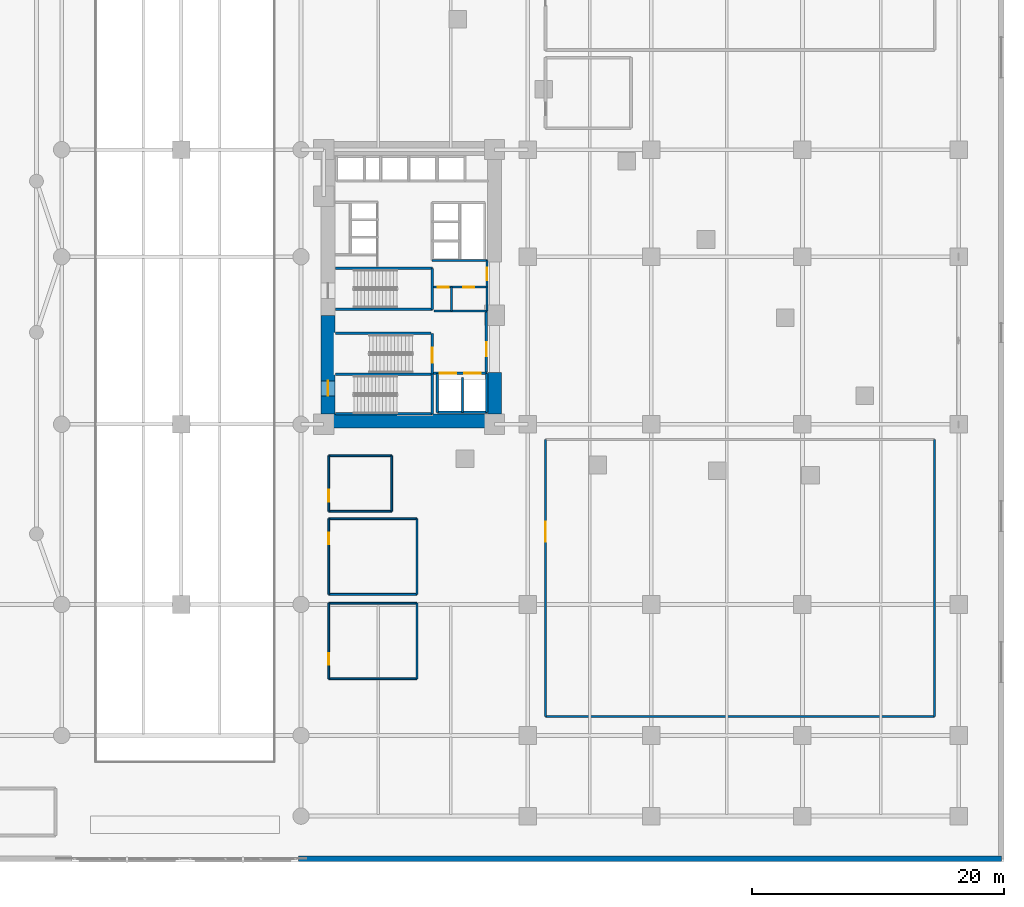
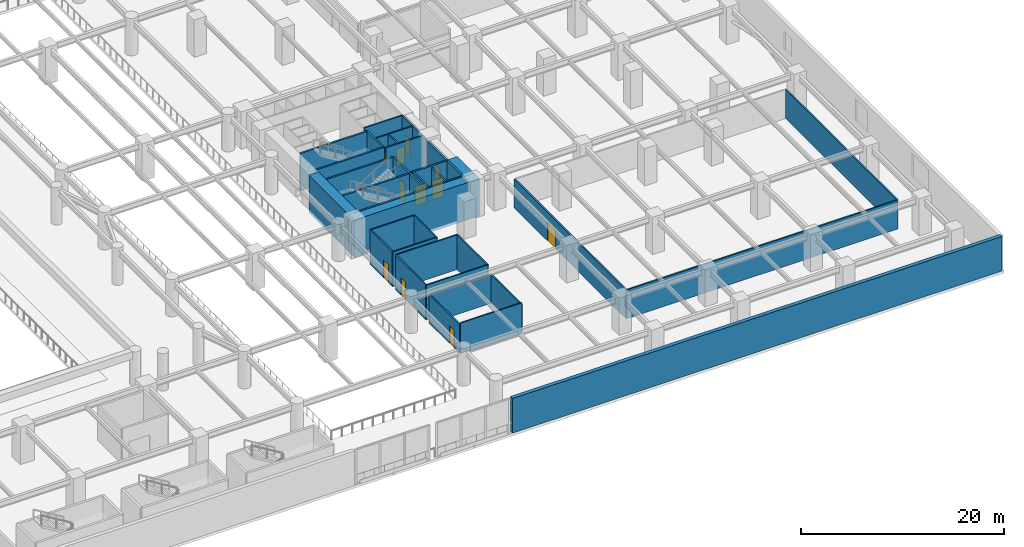
# One storey, part 13 of 32: 39 walls, 12 doors, 12 openings.
"""IFC4 building model written with IfcOpenShell, lengths in metres."""

from ifc_helpers import new_model, si_unit, direction, frame, frame_2d, origin, place, context, subcontext, project, spatial, rectangle, extrude, material, layer, layer_set, type_object, element, fill, save


model = new_model("IFC4")

# Units and contexts
model_context = context("Model", 3, precision=1e-05, world=origin(), true_north=direction((0.0, 1.0)))
body_context = subcontext(model_context, "Body", "Model", "MODEL_VIEW")
ifc_project = project(units=[si_unit("LENGTHUNIT", "METRE"), si_unit("AREAUNIT", "SQUARE_METRE"), si_unit("VOLUMEUNIT", "CUBIC_METRE"), si_unit("PLANEANGLEUNIT", "RADIAN"), si_unit("MASSUNIT", "GRAM", prefix="KILO")], contexts=[model_context])

# Site, building, storey
site_placement = place(None, origin())
site = spatial("IfcSite", under=ifc_project, at=site_placement, CompositionType="ELEMENT")
building_placement = place(site_placement, origin())
building = spatial("IfcBuilding", under=site, at=building_placement, Name="Narakoshi Arena Tower", CompositionType="ELEMENT")
storey_placement = place(building_placement, frame((0.0, 0.0, 4.5)))
storey = spatial("IfcBuildingStorey", under=building, at=storey_placement, Name="L01", CompositionType="ELEMENT", Elevation=4.5)

# Wall, opening, door
ifc_material_1 = material(Name="Concrete C60/75", Category="concrete")
ifc_layer_1 = layer(ifc_material_1, 1.10009765625)
ifc_layer_set_1 = layer_set([ifc_layer_1], Name="Concrete C60/75")
wall_type_1 = type_object("IfcWallType", Name="WL-CORE-1100", PredefinedType="SHEAR", material=ifc_layer_set_1)
wall_1_placement = place(storey_placement, frame((72.35009765625, 35.5, -0.320068359375), z_axis=(0.0, 0.0, 1.0), x_axis=(0.0, 1.0, 0.0)))
wall_1 = element("IfcWall", 1, at=wall_1_placement, inside=storey, type_object=wall_type_1, Name="L01 Central Core Shear Wall CW-APX-W", PredefinedType="SHEAR", context=body_context, shape_type="SweptSolid", body=[
    extrude(rectangle(XDim=7.85009765625, YDim=1.10009765625, at=frame_2d((3.925048828125, 0.0))), origin(), (0.0, 0.0, 1.0), 4.5),
])
opening_1_placement = place(wall_1_placement, frame((1.449951171875, 0.0, 0.320068359375)))
opening_1 = element("IfcOpeningElement", 2, at=opening_1_placement, cuts=wall_1, Name="Opening D-03", PredefinedType="OPENING", context=body_context, shape_type="SweptSolid", body=[
    extrude(rectangle(XDim=1.199951171875, YDim=2.199951171875, at=frame_2d((0.60009765625, 1.10009765625))), frame((0.0, 0.56005859375, 0.0), z_axis=(0.0, -1.0, 0.0), x_axis=(1.0, 0.0, 0.0)), (0.0, 0.0, 1.0), 1.1201171875),
])
ifc_material_2 = material(Name="Painted galvanized steel", Category="steel")
door_type_1 = type_object("IfcDoorType", Name="DR-STR-1200", OperationType="NOTDEFINED", PredefinedType="USERDEFINED", material=ifc_material_2)
door_1_placement = place(opening_1_placement, frame((1.199951171875, 0.0, 0.0), z_axis=(0.0, 0.0, 1.0), x_axis=(-1.0, 0.0, 0.0)))
door_1 = element("IfcDoor", 3, at=door_1_placement, inside=storey, type_object=door_type_1, Name="DR-L01-001", ObjectType="EXITDOOR", OperationType="SINGLE_SWING_LEFT", OverallHeight=2.199951171875, OverallWidth=1.199951171875, PredefinedType="USERDEFINED", context=body_context, shape_type="SweptSolid", body=[
    extrude(rectangle(XDim=1.199951171875, YDim=2.199951171875, at=frame_2d((0.60009765625, 1.10009765625))), frame((0.0, 0.02490234375, 0.0), z_axis=(0.0, -1.0, 0.0), x_axis=(1.0, 0.0, 0.0)), (0.0, 0.0, 1.0), 0.050048828125),
])
fill(opening_1, door_1)

# Walls
wall_2_placement = place(storey_placement, frame((71.800048828125, 34.949951171875, -0.320068359375), z_axis=(0.0, 0.0, 1.0), x_axis=(1.0, 0.0, 0.0)))
element("IfcWall", 4, at=wall_2_placement, inside=storey, type_object=wall_type_1, Name="L01 Central Core Shear Wall CW-APX-S", PredefinedType="SHEAR", context=body_context, shape_type="SweptSolid", body=[
    extrude(rectangle(XDim=14.300048828125, YDim=1.10009765625, at=frame_2d((7.14990234375, 0.0))), origin(), (0.0, 0.0, 1.0), 4.5),
])
wall_3_placement = place(storey_placement, frame((85.550048828125, 35.5, -0.320068359375), z_axis=(0.0, 0.0, 1.0), x_axis=(0.0, 1.0, 0.0)))
element("IfcWall", 5, at=wall_3_placement, inside=storey, type_object=wall_type_1, Name="L01 Central Core Shear Wall CW-APX-E", PredefinedType="SHEAR", context=body_context, shape_type="SweptSolid", body=[
    extrude(rectangle(XDim=3.300048828125, YDim=1.10009765625, at=frame_2d((1.64990234375, 0.0))), origin(), (0.0, 0.0, 1.0), 4.5),
])

# Wall, opening, door
ifc_material_3 = material(Name="Gypsum plasterboard fire-rated partition")
ifc_layer_2 = layer(ifc_material_3, 0.1650390625)
ifc_layer_set_2 = layer_set([ifc_layer_2], Name="Gypsum plasterboard fire-rated partition")
wall_type_2 = type_object("IfcWallType", Name="WL-CORR-165", PredefinedType="PARTITIONING", material=ifc_layer_set_2)
wall_4_placement = place(storey_placement, frame((84.949951171875, 45.580078125, 0.0), z_axis=(0.0, 0.0, 1.0), x_axis=(0.0, 1.0, 0.0)))
wall_4 = element("IfcWall", 6, at=wall_4_placement, inside=storey, type_object=wall_type_2, Name="L01 Core Wall CPAS-E", PredefinedType="PARTITIONING", context=body_context, shape_type="SweptSolid", body=[
    extrude(rectangle(XDim=2.119873046875, YDim=0.1650390625, at=frame_2d((1.06005859375, 0.0))), origin(), (0.0, 0.0, 1.0), 4.179931640625),
])
opening_2_placement = place(wall_4_placement, frame((0.56005859375, 0.0, 0.0)))
opening_2 = element("IfcOpeningElement", 7, at=opening_2_placement, cuts=wall_4, Name="Opening D-06", PredefinedType="OPENING", context=body_context, shape_type="SweptSolid", body=[
    extrude(rectangle(XDim=1.0, YDim=2.199951171875, at=frame_2d((0.5, 1.10009765625))), frame((0.0, 0.092529296875, 0.0), z_axis=(0.0, -1.0, 0.0), x_axis=(1.0, 0.0, 0.0)), (0.0, 0.0, 1.0), 0.18505859375),
])
ifc_material_4 = material(Name="Stained oak solid-core timber", Category="wood")
door_type_2 = type_object("IfcDoorType", Name="DR-OFF-1000", OperationType="NOTDEFINED", PredefinedType="DOOR", material=ifc_material_4)
door_2_placement = place(opening_2_placement, frame((1.0, 0.0, 0.0), z_axis=(0.0, 0.0, 1.0), x_axis=(-1.0, 0.0, 0.0)))
door_2 = element("IfcDoor", 8, at=door_2_placement, inside=storey, type_object=door_type_2, Name="DR-L01-007", OperationType="SINGLE_SWING_LEFT", OverallHeight=2.199951171875, OverallWidth=1.0, PredefinedType="DOOR", context=body_context, shape_type="SweptSolid", body=[
    extrude(rectangle(XDim=1.0, YDim=2.199951171875, at=frame_2d((0.5, 1.10009765625))), frame((0.0, 0.02490234375, 0.0), z_axis=(0.0, -1.0, 0.0), x_axis=(1.0, 0.0, 0.0)), (0.0, 0.0, 1.0), 0.050048828125),
])
fill(opening_2, door_2)

# Walls
wall_5_placement = place(storey_placement, frame((89.60009765625, 11.5, 0.0), z_axis=(0.0, 0.0, 1.0), x_axis=(1.0, 0.0, 0.0)))
element("IfcWall", 9, at=wall_5_placement, inside=storey, type_object=wall_type_2, Name="L01 VIP Hospitality Club Wall S", PredefinedType="PARTITIONING", context=body_context, shape_type="SweptSolid", body=[
    extrude(rectangle(XDim=30.89990234375, YDim=0.1650390625, at=frame_2d((15.449951171875, 0.0))), origin(), (0.0, 0.0, 1.0), 3.465087890625),
])
wall_6_placement = place(storey_placement, frame((120.5, 11.5, 0.0), z_axis=(0.0, 0.0, 1.0), x_axis=(0.0, 1.0, 0.0)))
element("IfcWall", 10, at=wall_6_placement, inside=storey, type_object=wall_type_2, Name="L01 VIP Hospitality Club Wall E", PredefinedType="PARTITIONING", context=body_context, shape_type="SweptSolid", body=[
    extrude(rectangle(XDim=22.0, YDim=0.1650390625, at=frame_2d((11.0, 0.0))), origin(), (0.0, 0.0, 1.0), 3.465087890625),
])

# Wall, opening, door
wall_7_placement = place(storey_placement, frame((89.60009765625, 33.5, 0.0), z_axis=(0.0, 0.0, 1.0), x_axis=(0.0, -1.0, 0.0)))
wall_7 = element("IfcWall", 11, at=wall_7_placement, inside=storey, type_object=wall_type_2, Name="L01 VIP Hospitality Club Wall W", PredefinedType="PARTITIONING", context=body_context, shape_type="SweptSolid", body=[
    extrude(rectangle(XDim=22.0, YDim=0.1650390625, at=frame_2d((11.0, 0.0))), origin(), (0.0, 0.0, 1.0), 3.465087890625),
])
opening_3_placement = place(wall_7_placement, frame((6.528076171875, 0.0, 0.0)))
opening_3 = element("IfcOpeningElement", 12, at=opening_3_placement, cuts=wall_7, Name="Opening D-05", PredefinedType="OPENING", context=body_context, shape_type="SweptSolid", body=[
    extrude(rectangle(XDim=1.60009765625, YDim=2.300048828125, at=frame_2d((0.800048828125, 1.14990234375))), frame((0.0, 0.092529296875, 0.0), z_axis=(0.0, -1.0, 0.0), x_axis=(1.0, 0.0, 0.0)), (0.0, 0.0, 1.0), 0.18505859375),
])
door_type_3 = type_object("IfcDoorType", Name="DR-STE-1600", OperationType="DOUBLE_DOOR_SINGLE_SWING", PredefinedType="DOOR", material=ifc_material_4)
door_3_placement = place(opening_3_placement, frame((1.60009765625, 0.0, 0.0), z_axis=(0.0, 0.0, 1.0), x_axis=(-1.0, 0.0, 0.0)))
door_3 = element("IfcDoor", 13, at=door_3_placement, inside=storey, type_object=door_type_3, Name="DR-L01-026", OperationType="DOUBLE_DOOR_SINGLE_SWING", OverallHeight=2.300048828125, OverallWidth=1.60009765625, PredefinedType="DOOR", context=body_context, shape_type="SweptSolid", body=[
    extrude(rectangle(XDim=1.60009765625, YDim=2.300048828125, at=frame_2d((0.800048828125, 1.14990234375))), frame((0.0, 0.02490234375, 0.0), z_axis=(0.0, -1.0, 0.0), x_axis=(1.0, 0.0, 0.0)), (0.0, 0.0, 1.0), 0.050048828125),
])
fill(opening_3, door_3)

# Walls
ifc_material_5 = material(Name="Precast concrete C45/55", Category="concrete")
ifc_layer_3 = layer(ifc_material_5, 0.419921875)
ifc_layer_set_3 = layer_set([ifc_layer_3], Name="Precast concrete C45/55")
wall_type_3 = type_object("IfcWallType", Name="WL-POD-420", PredefinedType="SOLIDWALL", material=ifc_layer_set_3)
wall_8_placement = place(storey_placement, frame((70.0, 0.2099609375, 0.0), z_axis=(0.0, 0.0, 1.0), x_axis=(1.0, 0.0, 0.0)))
element("IfcWall", 14, at=wall_8_placement, inside=storey, type_object=wall_type_3, Name="L01 Podium Precast Facade Wall SE", PredefinedType="SOLIDWALL", context=body_context, shape_type="SweptSolid", body=[
    extrude(rectangle(XDim=55.7900390625, YDim=0.419921875, at=frame_2d((27.89501953125, 0.0))), origin(), (0.0, 0.0, 1.0), 4.179931640625),
])
ifc_material_6 = material(Name="Concrete C40/50", Category="concrete")
ifc_layer_4 = layer(ifc_material_6, 0.280029296875)
ifc_layer_set_4 = layer_set([ifc_layer_4], Name="Concrete C40/50")
wall_type_4 = type_object("IfcWallType", Name="WL-RISER-280", PredefinedType="PLUMBINGWALL", material=ifc_layer_set_4)
wall_9_placement = place(storey_placement, frame((83.0, 35.64990234375, 0.0), z_axis=(0.0, 0.0, 1.0), x_axis=(0.0, 1.0, 0.0)))
element("IfcWall", 15, at=wall_9_placement, inside=storey, type_object=wall_type_4, Name="L01 Core Wall FF-DIV", PredefinedType="PLUMBINGWALL", context=body_context, shape_type="SweptSolid", body=[
    extrude(rectangle(XDim=2.75, YDim=0.159912109375, at=frame_2d((1.375, 0.0))), origin(), (0.0, 0.0, 1.0), 4.179931640625),
])
wall_10_placement = place(storey_placement, frame((84.949951171875, 43.679931640625, 0.0), z_axis=(0.0, 0.0, 1.0), x_axis=(0.0, 1.0, 0.0)))
element("IfcWall", 16, at=wall_10_placement, inside=storey, type_object=wall_type_4, Name="L01 Core Wall RSR-E", PredefinedType="PLUMBINGWALL", context=body_context, shape_type="SweptSolid", body=[
    extrude(rectangle(XDim=1.900146484375, YDim=0.1650390625, at=frame_2d((0.9501953125, 0.0))), origin(), (0.0, 0.0, 1.0), 4.179931640625),
])

# Wall, openings, doors
wall_11_placement = place(storey_placement, frame((80.719970703125, 45.580078125, 0.0), z_axis=(0.0, 0.0, 1.0), x_axis=(1.0, 0.0, 0.0)))
wall_11 = element("IfcWall", 17, at=wall_11_placement, inside=storey, type_object=wall_type_4, Name="L01 Core Wall RSR-N", PredefinedType="PLUMBINGWALL", context=body_context, shape_type="SweptSolid", body=[
    extrude(rectangle(XDim=4.22998046875, YDim=0.159912109375, at=frame_2d((2.114990234375, 0.0))), origin(), (0.0, 0.0, 1.0), 4.179931640625),
])
opening_4_placement = place(wall_11_placement, frame((0.35009765625, 0.0, 0.0)))
opening_4 = element("IfcOpeningElement", 18, at=opening_4_placement, cuts=wall_11, Name="Opening D-10", PredefinedType="OPENING", context=body_context, shape_type="SweptSolid", body=[
    extrude(rectangle(XDim=0.85009765625, YDim=2.050048828125, at=frame_2d((0.425048828125, 1.02490234375))), frame((0.0, 0.08984375, 0.0), z_axis=(0.0, -1.0, 0.0), x_axis=(1.0, 0.0, 0.0)), (0.0, 0.0, 1.0), 0.179931640625),
])
opening_5_placement = place(wall_11_placement, frame((2.35009765625, 0.0, 0.0)))
opening_5 = element("IfcOpeningElement", 19, at=opening_5_placement, cuts=wall_11, Name="Opening D-08", PredefinedType="OPENING", context=body_context, shape_type="SweptSolid", body=[
    extrude(rectangle(XDim=0.89990234375, YDim=2.10009765625, at=frame_2d((0.449951171875, 1.050048828125))), frame((0.0, 0.08984375, 0.0), z_axis=(0.0, -1.0, 0.0), x_axis=(1.0, 0.0, 0.0)), (0.0, 0.0, 1.0), 0.179931640625),
])
door_type_4 = type_object("IfcDoorType", Name="DR-RSR-850", OperationType="NOTDEFINED", PredefinedType="DOOR", material=ifc_material_2)
door_4_placement = place(opening_4_placement, frame((0.85009765625, 0.0, 0.0), z_axis=(0.0, 0.0, 1.0), x_axis=(-1.0, 0.0, 0.0)))
door_4 = element("IfcDoor", 20, at=door_4_placement, inside=storey, type_object=door_type_4, Name="DR-L01-008", OperationType="SINGLE_SWING_LEFT", OverallHeight=2.050048828125, OverallWidth=0.85009765625, PredefinedType="DOOR", context=body_context, shape_type="SweptSolid", body=[
    extrude(rectangle(XDim=0.85009765625, YDim=2.050048828125, at=frame_2d((0.425048828125, 1.02490234375))), frame((0.0, 0.02490234375, 0.0), z_axis=(0.0, -1.0, 0.0), x_axis=(1.0, 0.0, 0.0)), (0.0, 0.0, 1.0), 0.050048828125),
])
fill(opening_4, door_4)
ifc_material_7 = material(Name="Moisture-resistant laminate timber", Category="wood")
door_type_5 = type_object("IfcDoorType", Name="DR-WC-900", OperationType="NOTDEFINED", PredefinedType="DOOR", material=ifc_material_7)
door_5_placement = place(opening_5_placement, frame((0.89990234375, 0.0, 0.0), z_axis=(0.0, 0.0, 1.0), x_axis=(-1.0, 0.0, 0.0)))
door_5 = element("IfcDoor", 21, at=door_5_placement, inside=storey, type_object=door_type_5, Name="DR-L01-009", OperationType="SINGLE_SWING_RIGHT", OverallHeight=2.10009765625, OverallWidth=0.89990234375, PredefinedType="DOOR", context=body_context, shape_type="SweptSolid", body=[
    extrude(rectangle(XDim=0.89990234375, YDim=2.10009765625, at=frame_2d((0.449951171875, 1.050048828125))), frame((0.0, 0.02490234375, 0.0), z_axis=(0.0, -1.0, 0.0), x_axis=(1.0, 0.0, 0.0)), (0.0, 0.0, 1.0), 0.050048828125),
])
fill(opening_5, door_5)

# Walls
wall_12_placement = place(storey_placement, frame((80.760009765625, 43.679931640625, 0.0), z_axis=(0.0, 0.0, 1.0), x_axis=(1.0, 0.0, 0.0)))
element("IfcWall", 22, at=wall_12_placement, inside=storey, type_object=wall_type_4, Name="L01 Core Wall RSR-S", PredefinedType="PLUMBINGWALL", context=body_context, shape_type="SweptSolid", body=[
    extrude(rectangle(XDim=4.18994140625, YDim=0.159912109375, at=frame_2d((2.094970703125, 0.0))), origin(), (0.0, 0.0, 1.0), 4.179931640625),
])
wall_13_placement = place(storey_placement, frame((82.14990234375, 43.679931640625, 0.0), z_axis=(0.0, 0.0, 1.0), x_axis=(0.0, 1.0, 0.0)))
element("IfcWall", 23, at=wall_13_placement, inside=storey, type_object=wall_type_4, Name="L01 Core Wall RSR-M", PredefinedType="PLUMBINGWALL", context=body_context, shape_type="SweptSolid", body=[
    extrude(rectangle(XDim=1.900146484375, YDim=0.159912109375, at=frame_2d((0.9501953125, 0.0))), origin(), (0.0, 0.0, 1.0), 4.179931640625),
])
ifc_material_8 = material(Name="Concrete C50/60", Category="concrete")
ifc_layer_5 = layer(ifc_material_8, 0.35009765625)
ifc_layer_set_5 = layer_set([ifc_layer_5], Name="Concrete C50/60")
wall_type_5 = type_object("IfcWallType", Name="WL-SHAFT-350", PredefinedType="SOLIDWALL", material=ifc_layer_set_5)
for number, where, z_axis, x_axis, name in (
    (24, (72.919921875, 35.52001953125, -0.320068359375), (0.0, 0.0, 1.0), (1.0, 0.0, 0.0), "L01 Core Wall ST1-S"),
    (25, (72.919921875, 38.675048828125, -0.320068359375), (0.0, 0.0, 1.0), (1.0, 0.0, 0.0), "L01 Core Wall ST12-DIV"),
):
    element("IfcWall", number, at=place(storey_placement, frame(where, z_axis=z_axis, x_axis=x_axis)), inside=storey, type_object=wall_type_5, Name=name, PredefinedType="SOLIDWALL", context=body_context, shape_type="SweptSolid", body=[
        extrude(rectangle(XDim=7.7001953125, YDim=0.199951171875, at=frame_2d((3.85009765625, 0.0))), origin(), (0.0, 0.0, 1.0), 4.5),
    ])
wall_14_placement = place(storey_placement, frame((80.6201171875, 35.52001953125, -0.320068359375), z_axis=(0.0, 0.0, 1.0), x_axis=(0.0, 1.0, 0.0)))
element("IfcWall", 26, at=wall_14_placement, inside=storey, type_object=wall_type_5, Name="L01 Core Wall ST1-E", PredefinedType="SOLIDWALL", context=body_context, shape_type="SweptSolid", body=[
    extrude(rectangle(XDim=3.155029296875, YDim=0.199951171875, at=frame_2d((1.57763671875, 0.0))), origin(), (0.0, 0.0, 1.0), 4.5),
])

# Wall, opening, door
wall_15_placement = place(storey_placement, frame((80.6201171875, 38.675048828125, -0.320068359375), z_axis=(0.0, 0.0, 1.0), x_axis=(0.0, 1.0, 0.0)))
wall_15 = element("IfcWall", 27, at=wall_15_placement, inside=storey, type_object=wall_type_5, Name="L01 Core Wall ST2-E", PredefinedType="SOLIDWALL", context=body_context, shape_type="SweptSolid", body=[
    extrude(rectangle(XDim=3.244873046875, YDim=0.199951171875, at=frame_2d((1.62255859375, 0.0))), origin(), (0.0, 0.0, 1.0), 4.5),
])
opening_6_placement = place(wall_15_placement, frame((0.89990234375, 0.0, 0.320068359375)))
opening_6 = element("IfcOpeningElement", 28, at=opening_6_placement, cuts=wall_15, Name="Opening D-03", PredefinedType="OPENING", context=body_context, shape_type="SweptSolid", body=[
    extrude(rectangle(XDim=1.199951171875, YDim=2.199951171875, at=frame_2d((0.60009765625, 1.10009765625))), frame((0.0, 0.10986328125, 0.0), z_axis=(0.0, -1.0, 0.0), x_axis=(1.0, 0.0, 0.0)), (0.0, 0.0, 1.0), 0.219970703125),
])
door_6_placement = place(opening_6_placement, origin())
door_6 = element("IfcDoor", 29, at=door_6_placement, inside=storey, type_object=door_type_1, Name="DR-L01-002", ObjectType="EXITDOOR", OperationType="SINGLE_SWING_RIGHT", OverallHeight=2.199951171875, OverallWidth=1.199951171875, PredefinedType="USERDEFINED", context=body_context, shape_type="SweptSolid", body=[
    extrude(rectangle(XDim=1.199951171875, YDim=2.199951171875, at=frame_2d((0.60009765625, 1.10009765625))), frame((0.0, 0.02490234375, 0.0), z_axis=(0.0, -1.0, 0.0), x_axis=(1.0, 0.0, 0.0)), (0.0, 0.0, 1.0), 0.050048828125),
])
fill(opening_6, door_6)

# Wall, openings, doors
wall_16_placement = place(storey_placement, frame((80.719970703125, 38.75, 0.0), z_axis=(0.0, 0.0, 1.0), x_axis=(1.0, 0.0, 0.0)))
wall_16 = element("IfcWall", 30, at=wall_16_placement, inside=storey, type_object=wall_type_5, Name="L01 Core Wall FF-N", PredefinedType="SOLIDWALL", context=body_context, shape_type="SweptSolid", body=[
    extrude(rectangle(XDim=4.260009765625, YDim=0.199951171875, at=frame_2d((2.1298828125, 0.0))), origin(), (0.0, 0.0, 1.0), 4.179931640625),
])
opening_7_placement = place(wall_16_placement, frame((0.5, 0.0, 0.0)))
opening_7 = element("IfcOpeningElement", 31, at=opening_7_placement, cuts=wall_16, Name="Opening LD-02", PredefinedType="OPENING", context=body_context, shape_type="SweptSolid", body=[
    extrude(rectangle(XDim=1.300048828125, YDim=2.300048828125, at=frame_2d((0.64990234375, 1.14990234375))), frame((0.0, 0.10986328125, 0.0), z_axis=(0.0, -1.0, 0.0), x_axis=(1.0, 0.0, 0.0)), (0.0, 0.0, 1.0), 0.219970703125),
])
opening_8_placement = place(wall_16_placement, frame((2.449951171875, 0.0, 0.0)))
opening_8 = element("IfcOpeningElement", 32, at=opening_8_placement, cuts=wall_16, Name="Opening LD-02", PredefinedType="OPENING", context=body_context, shape_type="SweptSolid", body=[
    extrude(rectangle(XDim=1.300048828125, YDim=2.300048828125, at=frame_2d((0.64990234375, 1.14990234375))), frame((0.0, 0.10986328125, 0.0), z_axis=(0.0, -1.0, 0.0), x_axis=(1.0, 0.0, 0.0)), (0.0, 0.0, 1.0), 0.219970703125),
])
ifc_material_9 = material(Name="Brushed bronze stainless steel", Category="steel")
door_type_6 = type_object("IfcDoorType", Name="DR-LFT-1300", OperationType="DOUBLE_DOOR_SLIDING", PredefinedType="DOOR", material=ifc_material_9)
door_7_placement = place(opening_7_placement, origin())
door_7 = element("IfcDoor", 33, at=door_7_placement, inside=storey, type_object=door_type_6, Name="DR-L01-003", OperationType="DOUBLE_DOOR_SLIDING", OverallHeight=2.300048828125, OverallWidth=1.300048828125, PredefinedType="DOOR", context=body_context, shape_type="SweptSolid", body=[
    extrude(rectangle(XDim=1.300048828125, YDim=2.300048828125, at=frame_2d((0.64990234375, 1.14990234375))), frame((0.0, 0.02490234375, 0.0), z_axis=(0.0, -1.0, 0.0), x_axis=(1.0, 0.0, 0.0)), (0.0, 0.0, 1.0), 0.050048828125),
])
fill(opening_7, door_7)
door_8_placement = place(opening_8_placement, origin())
door_8 = element("IfcDoor", 34, at=door_8_placement, inside=storey, type_object=door_type_6, Name="DR-L01-004", OperationType="DOUBLE_DOOR_SLIDING", OverallHeight=2.300048828125, OverallWidth=1.300048828125, PredefinedType="DOOR", context=body_context, shape_type="SweptSolid", body=[
    extrude(rectangle(XDim=1.300048828125, YDim=2.300048828125, at=frame_2d((0.64990234375, 1.14990234375))), frame((0.0, 0.02490234375, 0.0), z_axis=(0.0, -1.0, 0.0), x_axis=(1.0, 0.0, 0.0)), (0.0, 0.0, 1.0), 0.050048828125),
])
fill(opening_8, door_8)

# Walls
for number, where, z_axis, x_axis, name in (
    (35, (84.949951171875, 35.64990234375, 0.0), (0.0, 0.0, 1.0), (0.0, 1.0, 0.0), "L01 Core Wall FF-E"),
    (36, (81.02001953125, 35.64990234375, 0.0), (0.0, 0.0, 1.0), (0.0, 1.0, 0.0), "L01 Core Wall FF-W"),
):
    element("IfcWall", number, at=place(storey_placement, frame(where, z_axis=z_axis, x_axis=x_axis)), inside=storey, type_object=wall_type_5, Name=name, PredefinedType="SOLIDWALL", context=body_context, shape_type="SweptSolid", body=[
        extrude(rectangle(XDim=3.10009765625, YDim=0.179931640625, at=frame_2d((1.550048828125, 0.0))), origin(), (0.0, 0.0, 1.0), 4.179931640625),
    ])
wall_17_placement = place(storey_placement, frame((81.02001953125, 35.64990234375, 0.0), z_axis=(0.0, 0.0, 1.0), x_axis=(1.0, 0.0, 0.0)))
element("IfcWall", 37, at=wall_17_placement, inside=storey, type_object=wall_type_5, Name="L01 Core Wall FF-S", PredefinedType="SOLIDWALL", context=body_context, shape_type="SweptSolid", body=[
    extrude(rectangle(XDim=3.929931640625, YDim=0.179931640625, at=frame_2d((1.96484375, 0.0))), origin(), (0.0, 0.0, 1.0), 4.179931640625),
])

# Wall, opening, door
wall_18_placement = place(storey_placement, frame((84.919921875, 38.85009765625, 0.0), z_axis=(0.0, 0.0, 1.0), x_axis=(0.0, 1.0, 0.0)))
wall_18 = element("IfcWall", 38, at=wall_18_placement, inside=storey, type_object=wall_type_5, Name="L01 Core Wall FFLOB-E", PredefinedType="SOLIDWALL", context=body_context, shape_type="SweptSolid", body=[
    extrude(rectangle(XDim=4.829833984375, YDim=0.199951171875, at=frame_2d((2.4150390625, 0.0))), origin(), (0.0, 0.0, 1.0), 4.179931640625),
])
opening_9_placement = place(wall_18_placement, frame((1.25, 0.0, 0.0)))
opening_9 = element("IfcOpeningElement", 39, at=opening_9_placement, cuts=wall_18, Name="Opening D-04", PredefinedType="OPENING", context=body_context, shape_type="SweptSolid", body=[
    extrude(rectangle(XDim=1.10009765625, YDim=2.199951171875, at=frame_2d((0.550048828125, 1.10009765625))), frame((0.0, 0.10986328125, 0.0), z_axis=(0.0, -1.0, 0.0), x_axis=(1.0, 0.0, 0.0)), (0.0, 0.0, 1.0), 0.219970703125),
])
door_type_7 = type_object("IfcDoorType", Name="DR-FFL-1100", OperationType="NOTDEFINED", PredefinedType="DOOR", material=ifc_material_2)
door_9_placement = place(opening_9_placement, frame((1.10009765625, 0.0, 0.0), z_axis=(0.0, 0.0, 1.0), x_axis=(-1.0, 0.0, 0.0)))
door_9 = element("IfcDoor", 40, at=door_9_placement, inside=storey, type_object=door_type_7, Name="DR-L01-005", OperationType="SINGLE_SWING_RIGHT", OverallHeight=2.199951171875, OverallWidth=1.10009765625, PredefinedType="DOOR", context=body_context, shape_type="SweptSolid", body=[
    extrude(rectangle(XDim=1.10009765625, YDim=2.199951171875, at=frame_2d((0.550048828125, 1.10009765625))), frame((0.0, 0.02490234375, 0.0), z_axis=(0.0, -1.0, 0.0), x_axis=(1.0, 0.0, 0.0)), (0.0, 0.0, 1.0), 0.050048828125),
])
fill(opening_9, door_9)

# Walls
wall_19_placement = place(storey_placement, frame((72.919921875, 41.919921875, -0.320068359375), z_axis=(0.0, 0.0, 1.0), x_axis=(1.0, 0.0, 0.0)))
element("IfcWall", 41, at=wall_19_placement, inside=storey, type_object=wall_type_5, Name="L01 Core Wall ST2-N", PredefinedType="SOLIDWALL", context=body_context, shape_type="SweptSolid", body=[
    extrude(rectangle(XDim=7.580078125, YDim=0.199951171875, at=frame_2d((3.7900390625, 0.0))), origin(), (0.0, 0.0, 1.0), 4.5),
])
for number, where, z_axis, x_axis, name in (
    (42, (72.919921875, 43.830078125, -0.320068359375), (0.0, 0.0, 1.0), (1.0, 0.0, 0.0), "L01 Core Wall ST3-S"),
    (43, (72.919921875, 47.070068359375, -0.320068359375), (0.0, 0.0, 1.0), (1.0, 0.0, 0.0), "L01 Core Wall ST3-N"),
):
    element("IfcWall", number, at=place(storey_placement, frame(where, z_axis=z_axis, x_axis=x_axis)), inside=storey, type_object=wall_type_5, Name=name, PredefinedType="SOLIDWALL", context=body_context, shape_type="SweptSolid", body=[
        extrude(rectangle(XDim=7.7001953125, YDim=0.199951171875, at=frame_2d((3.85009765625, 0.0))), origin(), (0.0, 0.0, 1.0), 4.5),
    ])
wall_20_placement = place(storey_placement, frame((80.6201171875, 43.830078125, -0.320068359375), z_axis=(0.0, 0.0, 1.0), x_axis=(0.0, 1.0, 0.0)))
element("IfcWall", 44, at=wall_20_placement, inside=storey, type_object=wall_type_5, Name="L01 Core Wall ST3-E", PredefinedType="SOLIDWALL", context=body_context, shape_type="SweptSolid", body=[
    extrude(rectangle(XDim=3.239990234375, YDim=0.199951171875, at=frame_2d((1.6201171875, 0.0))), origin(), (0.0, 0.0, 1.0), 4.5),
])
wall_21_placement = place(storey_placement, frame((80.60009765625, 47.699951171875, 0.0), z_axis=(0.0, 0.0, 1.0), x_axis=(1.0, 0.0, 0.0)))
element("IfcWall", 45, at=wall_21_placement, inside=storey, type_object=wall_type_5, Name="L01 Core Wall MR-S", PredefinedType="SOLIDWALL", context=body_context, shape_type="SweptSolid", body=[
    extrude(rectangle(XDim=4.39990234375, YDim=0.159912109375, at=frame_2d((2.199951171875, 0.0))), origin(), (0.0, 0.0, 1.0), 4.179931640625),
])
ifc_material_10 = material(Name="Moisture-resistant cement-board partition")
ifc_layer_6 = layer(ifc_material_10, 0.14501953125)
ifc_layer_set_6 = layer_set([ifc_layer_6], Name="Moisture-resistant cement-board partition")
wall_type_6 = type_object("IfcWallType", Name="WL-WET-145", PredefinedType="PARTITIONING", material=ifc_layer_set_6)
wall_22_placement = place(storey_placement, frame((72.39990234375, 14.5, 0.0), z_axis=(0.0, 0.0, 1.0), x_axis=(1.0, 0.0, 0.0)))
element("IfcWall", 46, at=wall_22_placement, inside=storey, type_object=wall_type_6, Name="L01 Spectator Male Restroom WC Wall S", PredefinedType="PARTITIONING", context=body_context, shape_type="SweptSolid", body=[
    extrude(rectangle(XDim=7.0, YDim=0.14501953125, at=frame_2d((3.5, 0.0))), origin(), (0.0, 0.0, 1.0), 3.6650390625),
])
wall_23_placement = place(storey_placement, frame((79.39990234375, 14.5, 0.0), z_axis=(0.0, 0.0, 1.0), x_axis=(0.0, 1.0, 0.0)))
element("IfcWall", 47, at=wall_23_placement, inside=storey, type_object=wall_type_6, Name="L01 Spectator Male Restroom WC Wall E", PredefinedType="PARTITIONING", context=body_context, shape_type="SweptSolid", body=[
    extrude(rectangle(XDim=6.0, YDim=0.14501953125, at=frame_2d((3.0, 0.0))), origin(), (0.0, 0.0, 1.0), 3.465087890625),
])
wall_24_placement = place(storey_placement, frame((79.39990234375, 20.5, 0.0), z_axis=(0.0, 0.0, 1.0), x_axis=(-1.0, 0.0, 0.0)))
element("IfcWall", 48, at=wall_24_placement, inside=storey, type_object=wall_type_6, Name="L01 Spectator Male Restroom WC Wall N", PredefinedType="PARTITIONING", context=body_context, shape_type="SweptSolid", body=[
    extrude(rectangle(XDim=7.0, YDim=0.14501953125, at=frame_2d((3.5, 0.0))), origin(), (0.0, 0.0, 1.0), 3.465087890625),
])

# Wall, opening, door
wall_25_placement = place(storey_placement, frame((72.39990234375, 20.5, 0.0), z_axis=(0.0, 0.0, 1.0), x_axis=(0.0, -1.0, 0.0)))
wall_25 = element("IfcWall", 49, at=wall_25_placement, inside=storey, type_object=wall_type_6, Name="L01 Spectator Male Restroom WC Wall W", PredefinedType="PARTITIONING", context=body_context, shape_type="SweptSolid", body=[
    extrude(rectangle(XDim=6.0, YDim=0.14501953125, at=frame_2d((3.0, 0.0))), origin(), (0.0, 0.0, 1.0), 3.465087890625),
])
opening_10_placement = place(wall_25_placement, frame((3.97802734375, 0.0, 0.0)))
opening_10 = element("IfcOpeningElement", 50, at=opening_10_placement, cuts=wall_25, Name="Opening D-08", PredefinedType="OPENING", context=body_context, shape_type="SweptSolid", body=[
    extrude(rectangle(XDim=0.89990234375, YDim=2.10009765625, at=frame_2d((0.449951171875, 1.050048828125))), frame((0.0, 0.08251953125, 0.0), z_axis=(0.0, -1.0, 0.0), x_axis=(1.0, 0.0, 0.0)), (0.0, 0.0, 1.0), 0.1650390625),
])
door_10_placement = place(opening_10_placement, frame((0.89990234375, 0.0, 0.0), z_axis=(0.0, 0.0, 1.0), x_axis=(-1.0, 0.0, 0.0)))
door_10 = element("IfcDoor", 51, at=door_10_placement, inside=storey, type_object=door_type_5, Name="DR-L01-029", OperationType="SINGLE_SWING_LEFT", OverallHeight=2.10009765625, OverallWidth=0.89990234375, PredefinedType="DOOR", context=body_context, shape_type="SweptSolid", body=[
    extrude(rectangle(XDim=0.89990234375, YDim=2.10009765625, at=frame_2d((0.449951171875, 1.050048828125))), frame((0.0, 0.02490234375, 0.0), z_axis=(0.0, -1.0, 0.0), x_axis=(1.0, 0.0, 0.0)), (0.0, 0.0, 1.0), 0.050048828125),
])
fill(opening_10, door_10)

# Walls
wall_26_placement = place(storey_placement, frame((72.39990234375, 21.199951171875, 0.0), z_axis=(0.0, 0.0, 1.0), x_axis=(1.0, 0.0, 0.0)))
element("IfcWall", 52, at=wall_26_placement, inside=storey, type_object=wall_type_6, Name="L01 Spectator Female Restroom WC Wall S", PredefinedType="PARTITIONING", context=body_context, shape_type="SweptSolid", body=[
    extrude(rectangle(XDim=7.0, YDim=0.14501953125, at=frame_2d((3.5, 0.0))), origin(), (0.0, 0.0, 1.0), 4.179931640625),
])
wall_27_placement = place(storey_placement, frame((79.39990234375, 21.199951171875, 0.0), z_axis=(0.0, 0.0, 1.0), x_axis=(0.0, 1.0, 0.0)))
element("IfcWall", 53, at=wall_27_placement, inside=storey, type_object=wall_type_6, Name="L01 Spectator Female Restroom WC Wall E", PredefinedType="PARTITIONING", context=body_context, shape_type="SweptSolid", body=[
    extrude(rectangle(XDim=6.0, YDim=0.14501953125, at=frame_2d((3.0, 0.0))), origin(), (0.0, 0.0, 1.0), 4.179931640625),
])
wall_28_placement = place(storey_placement, frame((79.39990234375, 27.199951171875, 0.0), z_axis=(0.0, 0.0, 1.0), x_axis=(-1.0, 0.0, 0.0)))
element("IfcWall", 54, at=wall_28_placement, inside=storey, type_object=wall_type_6, Name="L01 Spectator Female Restroom WC Wall N", PredefinedType="PARTITIONING", context=body_context, shape_type="SweptSolid", body=[
    extrude(rectangle(XDim=7.0, YDim=0.14501953125, at=frame_2d((3.5, 0.0))), origin(), (0.0, 0.0, 1.0), 4.179931640625),
])

# Wall, opening, door
wall_29_placement = place(storey_placement, frame((72.39990234375, 27.199951171875, 0.0), z_axis=(0.0, 0.0, 1.0), x_axis=(0.0, -1.0, 0.0)))
wall_29 = element("IfcWall", 55, at=wall_29_placement, inside=storey, type_object=wall_type_6, Name="L01 Spectator Female Restroom WC Wall W", PredefinedType="PARTITIONING", context=body_context, shape_type="SweptSolid", body=[
    extrude(rectangle(XDim=6.0, YDim=0.14501953125, at=frame_2d((3.0, 0.0))), origin(), (0.0, 0.0, 1.0), 4.179931640625),
])
opening_11_placement = place(wall_29_placement, frame((1.1220703125, 0.0, 0.0)))
opening_11 = element("IfcOpeningElement", 56, at=opening_11_placement, cuts=wall_29, Name="Opening D-08", PredefinedType="OPENING", context=body_context, shape_type="SweptSolid", body=[
    extrude(rectangle(XDim=0.89990234375, YDim=2.10009765625, at=frame_2d((0.449951171875, 1.050048828125))), frame((0.0, 0.08251953125, 0.0), z_axis=(0.0, -1.0, 0.0), x_axis=(1.0, 0.0, 0.0)), (0.0, 0.0, 1.0), 0.1650390625),
])
door_11_placement = place(opening_11_placement, frame((0.89990234375, 0.0, 0.0), z_axis=(0.0, 0.0, 1.0), x_axis=(-1.0, 0.0, 0.0)))
door_11 = element("IfcDoor", 57, at=door_11_placement, inside=storey, type_object=door_type_5, Name="DR-L01-030", OperationType="SINGLE_SWING_RIGHT", OverallHeight=2.10009765625, OverallWidth=0.89990234375, PredefinedType="DOOR", context=body_context, shape_type="SweptSolid", body=[
    extrude(rectangle(XDim=0.89990234375, YDim=2.10009765625, at=frame_2d((0.449951171875, 1.050048828125))), frame((0.0, 0.02490234375, 0.0), z_axis=(0.0, -1.0, 0.0), x_axis=(1.0, 0.0, 0.0)), (0.0, 0.0, 1.0), 0.050048828125),
])
fill(opening_11, door_11)

# Walls
wall_30_placement = place(storey_placement, frame((72.39990234375, 27.800048828125, 0.0), z_axis=(0.0, 0.0, 1.0), x_axis=(1.0, 0.0, 0.0)))
element("IfcWall", 58, at=wall_30_placement, inside=storey, type_object=wall_type_6, Name="L01 Spectator Accessible Restroom WC Wall S", PredefinedType="PARTITIONING", context=body_context, shape_type="SweptSolid", body=[
    extrude(rectangle(XDim=5.0, YDim=0.14501953125, at=frame_2d((2.5, 0.0))), origin(), (0.0, 0.0, 1.0), 4.179931640625),
])
wall_31_placement = place(storey_placement, frame((77.39990234375, 27.800048828125, 0.0), z_axis=(0.0, 0.0, 1.0), x_axis=(0.0, 1.0, 0.0)))
element("IfcWall", 59, at=wall_31_placement, inside=storey, type_object=wall_type_6, Name="L01 Spectator Accessible Restroom WC Wall E", PredefinedType="PARTITIONING", context=body_context, shape_type="SweptSolid", body=[
    extrude(rectangle(XDim=4.39990234375, YDim=0.14501953125, at=frame_2d((2.199951171875, 0.0))), origin(), (0.0, 0.0, 1.0), 4.179931640625),
])
wall_32_placement = place(storey_placement, frame((77.39990234375, 32.199951171875, 0.0), z_axis=(0.0, 0.0, 1.0), x_axis=(-1.0, 0.0, 0.0)))
element("IfcWall", 60, at=wall_32_placement, inside=storey, type_object=wall_type_6, Name="L01 Spectator Accessible Restroom WC Wall N", PredefinedType="PARTITIONING", context=body_context, shape_type="SweptSolid", body=[
    extrude(rectangle(XDim=5.0, YDim=0.14501953125, at=frame_2d((2.5, 0.0))), origin(), (0.0, 0.0, 1.0), 4.179931640625),
])

# Wall, opening, door
wall_33_placement = place(storey_placement, frame((72.39990234375, 32.199951171875, 0.0), z_axis=(0.0, 0.0, 1.0), x_axis=(0.0, -1.0, 0.0)))
wall_33 = element("IfcWall", 61, at=wall_33_placement, inside=storey, type_object=wall_type_6, Name="L01 Spectator Accessible Restroom WC Wall W", PredefinedType="PARTITIONING", context=body_context, shape_type="SweptSolid", body=[
    extrude(rectangle(XDim=4.39990234375, YDim=0.14501953125, at=frame_2d((2.199951171875, 0.0))), origin(), (0.0, 0.0, 1.0), 4.179931640625),
])
opening_12_placement = place(wall_33_placement, frame((2.69091796875, 0.0, 0.0)))
opening_12 = element("IfcOpeningElement", 62, at=opening_12_placement, cuts=wall_33, Name="Opening D-07", PredefinedType="OPENING", context=body_context, shape_type="SweptSolid", body=[
    extrude(rectangle(XDim=0.949951171875, YDim=2.14990234375, at=frame_2d((0.47509765625, 1.074951171875))), frame((0.0, 0.08251953125, 0.0), z_axis=(0.0, -1.0, 0.0), x_axis=(1.0, 0.0, 0.0)), (0.0, 0.0, 1.0), 0.1650390625),
])
door_type_8 = type_object("IfcDoorType", Name="DR-ACC-950", OperationType="NOTDEFINED", PredefinedType="DOOR", material=ifc_material_4)
door_12_placement = place(opening_12_placement, frame((0.949951171875, 0.0, 0.0), z_axis=(0.0, 0.0, 1.0), x_axis=(-1.0, 0.0, 0.0)))
door_12 = element("IfcDoor", 63, at=door_12_placement, inside=storey, type_object=door_type_8, Name="DR-L01-031", OperationType="SINGLE_SWING_LEFT", OverallHeight=2.14990234375, OverallWidth=0.949951171875, PredefinedType="DOOR", context=body_context, shape_type="SweptSolid", body=[
    extrude(rectangle(XDim=0.949951171875, YDim=2.14990234375, at=frame_2d((0.47509765625, 1.074951171875))), frame((0.0, 0.02490234375, 0.0), z_axis=(0.0, -1.0, 0.0), x_axis=(1.0, 0.0, 0.0)), (0.0, 0.0, 1.0), 0.050048828125),
])
fill(opening_12, door_12)

save(model, "model.ifc")
